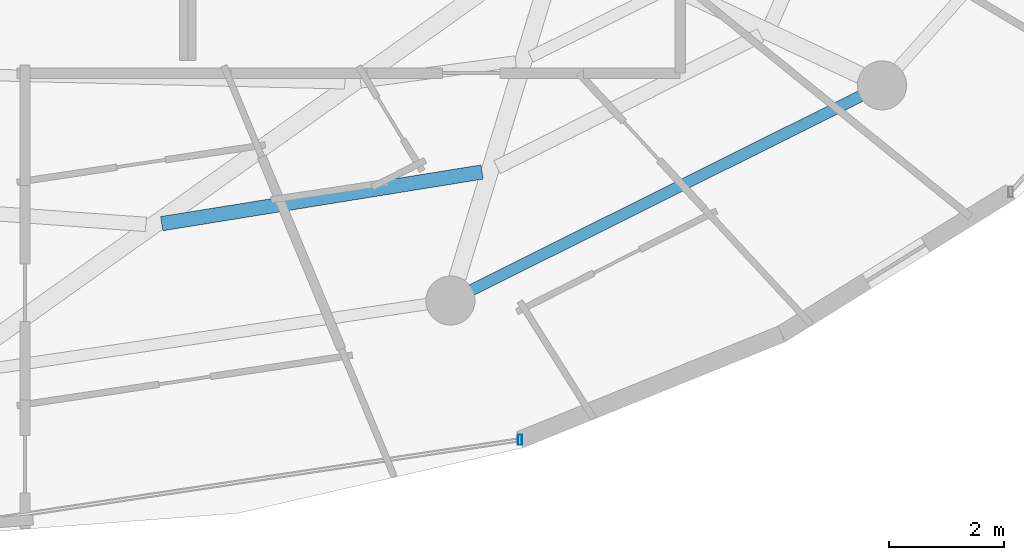
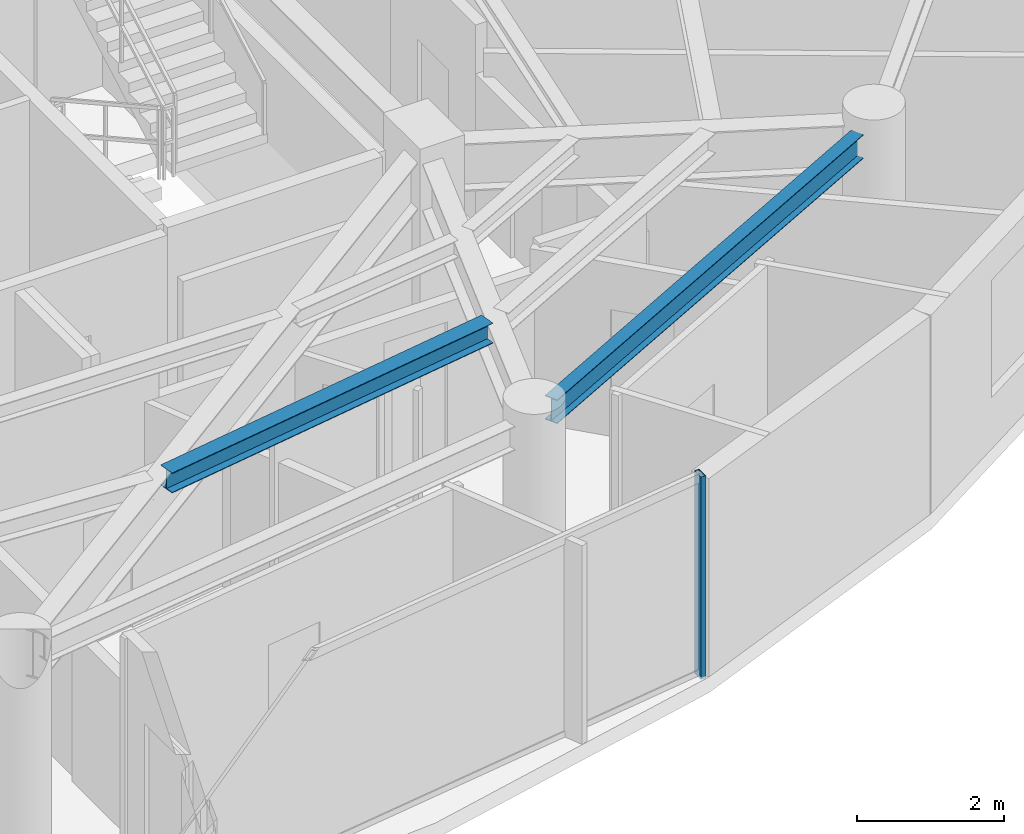
# One storey, part 11 of 32: 2 beams, 1 member, 1 element without a shape of its own.
"""IFC4 building model written with IfcOpenShell, lengths in metres."""

import ifcopenshell
import ifcopenshell.guid

model = None  # the IFC model being written
_history = None  # IfcOwnerHistory: only IFC2X3 demands one
_inside = {}  # id of a spatial element -> (the spatial element, [elements in it])
_under = {}  # id of a project, library or spatial element -> (it, [spatial elements below it])
_declared = {}  # id of a project -> (the project, [libraries it declares])
_typed = {}  # id of a type object -> (the type object, [elements of that type])
_made_of = {}  # id of a material, layer set ... -> (it, [elements and type objects made of it])


def new_model(schema):
    """Start an empty IFC model of exactly this schema.

    Asked for "IFC4X3", IfcOpenShell would pick the latest addendum, in which some entities
    have other attributes; the version numbers below select the first issue.
    IFC2X3 requires an IfcOwnerHistory on every rooted entity: one is made here for all.
    """
    global model, _history
    if schema == "IFC4X3":
        model = ifcopenshell.file(schema_version=(4, 3, 0, 0))
    else:
        model = ifcopenshell.file(schema=schema)
    _inside.clear()
    _under.clear()
    _declared.clear()
    _typed.clear()
    _made_of.clear()
    _history = None
    if model.schema == "IFC2X3":
        org = make("IfcOrganization", Name="unknown")
        user = make(
            "IfcPersonAndOrganization",
            ThePerson=make("IfcPerson", FamilyName="unknown"),
            TheOrganization=org,
        )
        app = make(
            "IfcApplication",
            ApplicationDeveloper=org,
            Version="unknown",
            ApplicationFullName="unknown",
            ApplicationIdentifier="unknown",
        )
        _history = make(
            "IfcOwnerHistory",
            OwningUser=user,
            OwningApplication=app,
            ChangeAction="ADDED",
            CreationDate=0,
        )
    return model


def make(cls, **values):
    """One entity of the class cls with the attributes given. An attribute that is None is left unset."""
    return model.create_entity(
        cls, **{name: value for name, value in values.items() if value is not None}
    )


def rooted(cls, **values):
    """An entity with a GlobalId (a new one), such as an element, a storey or a relation."""
    return make(cls, GlobalId=ifcopenshell.guid.new(), OwnerHistory=_history, **values)


def si_unit(unit_type, name, prefix=None):
    """IfcSIUnit, for example si_unit("LENGTHUNIT", "METRE", prefix="MILLI")."""
    return make("IfcSIUnit", UnitType=unit_type, Prefix=prefix, Name=name)


def assignment(units):
    """IfcUnitAssignment: the units of a project."""
    return None if units is None else make("IfcUnitAssignment", Units=units)


def point(xyz):
    """IfcCartesianPoint."""
    return None if xyz is None else make("IfcCartesianPoint", Coordinates=xyz)


def direction(xyz):
    """IfcDirection."""
    return None if xyz is None else make("IfcDirection", DirectionRatios=xyz)


def frame(location, z_axis=None, x_axis=None):
    """IfcAxis2Placement3D, a coordinate frame: its origin and axes. An axis left out is left unset."""
    return make(
        "IfcAxis2Placement3D",
        Location=point(location),
        Axis=direction(z_axis),
        RefDirection=direction(x_axis),
    )


def frame_2d(location, x_axis=None):
    """IfcAxis2Placement2D, a coordinate frame in the plane: its origin and x axis."""
    return make(
        "IfcAxis2Placement2D", Location=point(location), RefDirection=direction(x_axis)
    )


def origin():
    """The frame at (0, 0, 0) with its axes left unset."""
    return frame((0.0, 0.0, 0.0))


def origin_2d():
    """The frame at (0, 0) in the plane with its x axis left unset."""
    return frame_2d((0.0, 0.0))


def place(relative_to, where):
    """IfcLocalPlacement: puts the frame where relative to a parent placement (None: the world)."""
    return make(
        "IfcLocalPlacement", PlacementRelTo=relative_to, RelativePlacement=where
    )


def context(
    kind, dimensions, precision=None, world=None, true_north=None, identifier=None
):
    """IfcGeometricRepresentationContext, for example the 3D "Model" context."""
    return make(
        "IfcGeometricRepresentationContext",
        ContextIdentifier=identifier,
        ContextType=kind,
        CoordinateSpaceDimension=dimensions,
        Precision=precision,
        WorldCoordinateSystem=world,
        TrueNorth=true_north,
    )


def subcontext(parent, identifier, kind, view, scale=None):
    """IfcGeometricRepresentationSubContext, for example "Body" below "Model"."""
    return make(
        "IfcGeometricRepresentationSubContext",
        ContextIdentifier=identifier,
        ContextType=kind,
        ParentContext=parent,
        TargetScale=scale,
        TargetView=view,
    )


def project(units=None, contexts=None):
    """IfcProject with its units and contexts."""
    return rooted(
        "IfcProject",
        Name="project",
        RepresentationContexts=contexts,
        UnitsInContext=assignment(units),
    )


def spatial(cls, under=None, at=None, **own):
    """A site, building, storey or space (cls), placed at a placement, below another one or the project."""
    s = rooted(cls, ObjectPlacement=at, **own)
    if under is not None:
        _under.setdefault(under.id(), (under, []))[1].append(s)
    return s


def profile(cls, at=None, kind="AREA", **sizes):
    """A parametric profile (cls). Its sizes go by their IFC names, for example OverallWidth=200.0."""
    return make(cls, ProfileType=kind, Position=at, **sizes)


def hollow_rectangle(**sizes):
    """IfcRectangleHollowProfileDef."""
    return profile("IfcRectangleHollowProfileDef", **sizes)


def i_section(**sizes):
    """IfcIShapeProfileDef."""
    return profile("IfcIShapeProfileDef", **sizes)


def extrude(swept, where, along, depth):
    """IfcExtrudedAreaSolid: the profile swept, set in the frame where, extruded along a direction by depth."""
    return make(
        "IfcExtrudedAreaSolid",
        SweptArea=swept,
        Position=where,
        ExtrudedDirection=direction(along),
        Depth=depth,
    )


def shape(context_of_items, identifier, shape_type, items):
    """IfcShapeRepresentation: the items that make up one representation, for example the "Body"."""
    return make(
        "IfcShapeRepresentation",
        ContextOfItems=context_of_items,
        RepresentationIdentifier=identifier,
        RepresentationType=shape_type,
        Items=items,
    )


def material(Name=None, Category=None):
    """IfcMaterial."""
    return make("IfcMaterial", Name=Name, Category=Category)


def material_profile(
    of_material, cross_section, Name=None, Category=None, Priority=None
):
    """IfcMaterialProfile: a cross section and its material."""
    return make(
        "IfcMaterialProfile",
        Name=Name,
        Material=of_material,
        Profile=cross_section,
        Priority=Priority,
        Category=Category,
    )


def profile_set(profiles, Name=None, composite=None):
    """IfcMaterialProfileSet."""
    return make(
        "IfcMaterialProfileSet",
        Name=Name,
        MaterialProfiles=profiles,
        CompositeProfile=composite,
    )


def made_of(thing, what):
    """Note that an element or type object is made of a material, layer set ...; save() writes the relation."""
    if what is not None:
        _made_of.setdefault(what.id(), (what, []))[1].append(thing)
    return thing


def type_object(cls, material=None, **own):
    """A type object (cls), such as IfcWallType, which elements share."""
    return made_of(rooted(cls, **own), material)


def element(
    cls,
    number,
    at=None,
    inside=None,
    cuts=None,
    type_object=None,
    material=None,
    context=None,
    identifier="Body",
    shape_type=None,
    held_by="IfcProductDefinitionShape",
    body=None,
    shapes=None,
    **own,
):
    """One element of the class cls, such as IfcWall. Its Tag is "e" and its number.

    at: its placement. inside: the storey or other place that contains it. cuts: it is an
    opening in that element (IfcRelVoidsElement). A single representation is given by context,
    identifier, shape_type and body (its items); several are given by shapes. held_by: the class
    of the entity that holds the representations. save() writes the other relations.
    """
    e = rooted(cls, Tag="e%d" % number, ObjectPlacement=at, **own)
    if body is not None:
        shapes = [shape(context, identifier, shape_type, body)]
    if shapes is not None:
        e.Representation = make(held_by, Representations=shapes)
    if inside is not None:
        _inside.setdefault(inside.id(), (inside, []))[1].append(e)
    if cuts is not None:
        rooted(
            "IfcRelVoidsElement", RelatingBuildingElement=cuts, RelatedOpeningElement=e
        )
    if type_object is not None:
        _typed.setdefault(type_object.id(), (type_object, []))[1].append(e)
    return made_of(e, material)


def aggregate(whole, parts):
    """IfcRelAggregates: a whole, such as a stair, and the parts it consists of."""
    return rooted("IfcRelAggregates", RelatingObject=whole, RelatedObjects=parts)


def save(model, path):
    """Write the relations noted so far, then the file.

    IfcRelAggregates (storeys below a building ...), IfcRelContainedInSpatialStructure (elements
    in a storey), IfcRelDefinesByType, IfcRelAssociatesMaterial and IfcRelDeclares: one each for
    every whole, place, type object, material and project.
    """
    for whole, parts in _under.values():
        aggregate(whole, parts)
    for where, things in _inside.values():
        rooted(
            "IfcRelContainedInSpatialStructure",
            RelatedElements=things,
            RelatingStructure=where,
        )
    for kind, things in _typed.values():
        rooted("IfcRelDefinesByType", RelatedObjects=things, RelatingType=kind)
    for what, things in _made_of.values():
        rooted("IfcRelAssociatesMaterial", RelatedObjects=things, RelatingMaterial=what)
    for by, libraries in _declared.values():
        rooted("IfcRelDeclares", RelatingContext=by, RelatedDefinitions=libraries)
    model.write(path)


model = new_model("IFC4")

# Units and contexts
model_context = context("Model", 3, precision=1e-05, world=origin(), true_north=direction((0.0, 1.0)))
body_context = subcontext(model_context, "Body", "Model", "MODEL_VIEW")
ifc_project = project(units=[si_unit("LENGTHUNIT", "METRE"), si_unit("AREAUNIT", "SQUARE_METRE"), si_unit("VOLUMEUNIT", "CUBIC_METRE"), si_unit("PLANEANGLEUNIT", "RADIAN"), si_unit("MASSUNIT", "GRAM", prefix="KILO")], contexts=[model_context])

# Site, building, storey
site_placement = place(None, origin())
site = spatial("IfcSite", under=ifc_project, at=site_placement, CompositionType="ELEMENT")
building_placement = place(site_placement, origin())
building = spatial("IfcBuilding", under=site, at=building_placement, Name="Vorneva Point Tower", CompositionType="ELEMENT")
storey_placement = place(building_placement, frame((0.0, 0.0, 269.75)))
storey = spatial("IfcBuildingStorey", under=building, at=storey_placement, Name="L73", CompositionType="ELEMENT", Elevation=269.75)

# Beams
ifc_material_1 = material(Name="Steel S355", Category="steel")
ifc_material_profile_1 = material_profile(ifc_material_1, i_section(OverallWidth=0.2490234375, OverallDepth=0.333984375, WebThickness=0.008056640625, FlangeThickness=0.010986328125, at=origin_2d()), Name="35Sh1")
ifc_profile_set_1 = profile_set([ifc_material_profile_1], Name="Steel S355")
beam_type_1 = type_object("IfcBeamType", Name="BM-SEC-35Sh1", PredefinedType="BEAM", material=ifc_profile_set_1)
beam_1_placement = place(storey_placement, frame((41.81787109375, 11.44189453125, 3.123046875), z_axis=(0.98724398281, 0.159214692804, 0.0), x_axis=(-0.159214692804, 0.98724398281, 0.0)))
element("IfcBeam", 1, at=beam_1_placement, inside=storey, type_object=beam_type_1, Name="L73 Secondary Floor Beam 1.13", PredefinedType="BEAM", context=body_context, shape_type="SweptSolid", body=[
    extrude(i_section(OverallWidth=0.2490234375, OverallDepth=0.333984375, WebThickness=0.008056640625, FlangeThickness=0.010986328125, at=origin_2d()), origin(), (0.0, 0.0, 1.0), 5.623046875),
])
ifc_material_profile_2 = material_profile(ifc_material_1, i_section(OverallWidth=0.198974609375, OverallDepth=0.39599609375, WebThickness=0.007080078125, FlangeThickness=0.010986328125, at=origin_2d()), Name="40B1")
ifc_profile_set_2 = profile_set([ifc_material_profile_2], Name="Steel S355")
beam_type_2 = type_object("IfcBeamType", Name="BM-SPN-40B1", PredefinedType="SPANDREL", material=ifc_profile_set_2)
beam_2_placement = place(storey_placement, frame((47.187744140625, 10.292236328125, 3.092041015625), z_axis=(0.894932011528, 0.446202526599, 0.0), x_axis=(-0.446202526599, 0.894932011528, 0.0)))
element("IfcBeam", 2, at=beam_2_placement, inside=storey, type_object=beam_type_2, Name="L73 Perimeter Spandrel Ring Beam 14", PredefinedType="SPANDREL", context=body_context, shape_type="SweptSolid", body=[
    extrude(i_section(OverallWidth=0.198974609375, OverallDepth=0.39599609375, WebThickness=0.007080078125, FlangeThickness=0.010986328125, at=origin_2d()), origin(), (0.0, 0.0, 1.0), 7.535888671875),
])

# Curtain wall, member
ifc_material_2 = material(Name="Pale anodised aluminium", Category="aluminium")
curtain_wall_type = type_object("IfcCurtainWallType", Name="CW-RES-SYS", PredefinedType="NOTDEFINED", material=ifc_material_2)
curtain_wall_placement = place(storey_placement, origin())
curtain_wall = element("IfcCurtainWall", 3, at=curtain_wall_placement, inside=storey, type_object=curtain_wall_type, Name="L73 Unitised Curtain Wall CW-L73-R04", PredefinedType="NOTDEFINED")
ifc_material_profile_3 = material_profile(ifc_material_2, hollow_rectangle(XDim=0.074951171875, YDim=0.179931640625, WallThickness=0.00390625, at=origin_2d()), Name="AL-MUL 180x75x4")
ifc_profile_set_3 = profile_set([ifc_material_profile_3], Name="Pale anodised aluminium")
member_type = type_object("IfcMemberType", Name="CW-MUL-180", PredefinedType="MULLION", material=ifc_profile_set_3)
member_placement = place(storey_placement, frame((48.0263671875, 7.697998046875, -0.0400390625), z_axis=(0.0, 0.0, 1.0), x_axis=(1.0, 0.0, 0.0)))
member = element("IfcMember", 4, at=member_placement, type_object=member_type, Name="CW-L73-R04 Mullion 03", PredefinedType="MULLION", context=body_context, shape_type="SweptSolid", body=[
    extrude(hollow_rectangle(XDim=0.074951171875, YDim=0.179931640625, WallThickness=0.00390625, at=origin_2d()), origin(), (0.0, 0.0, 1.0), 3.360107421875),
])
aggregate(curtain_wall, [member])

save(model, "model.ifc")
